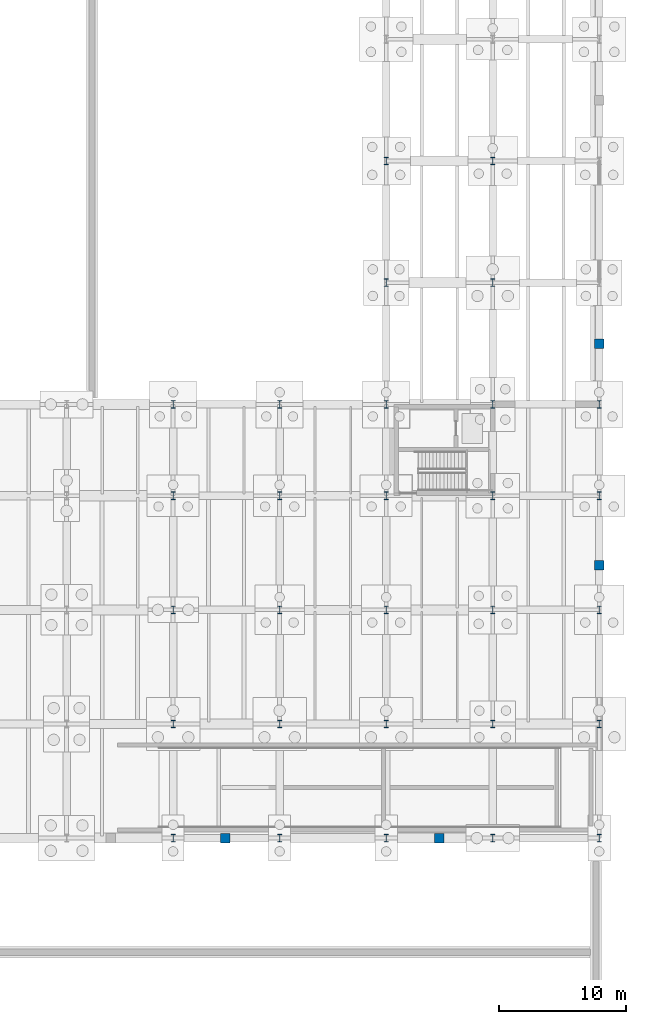
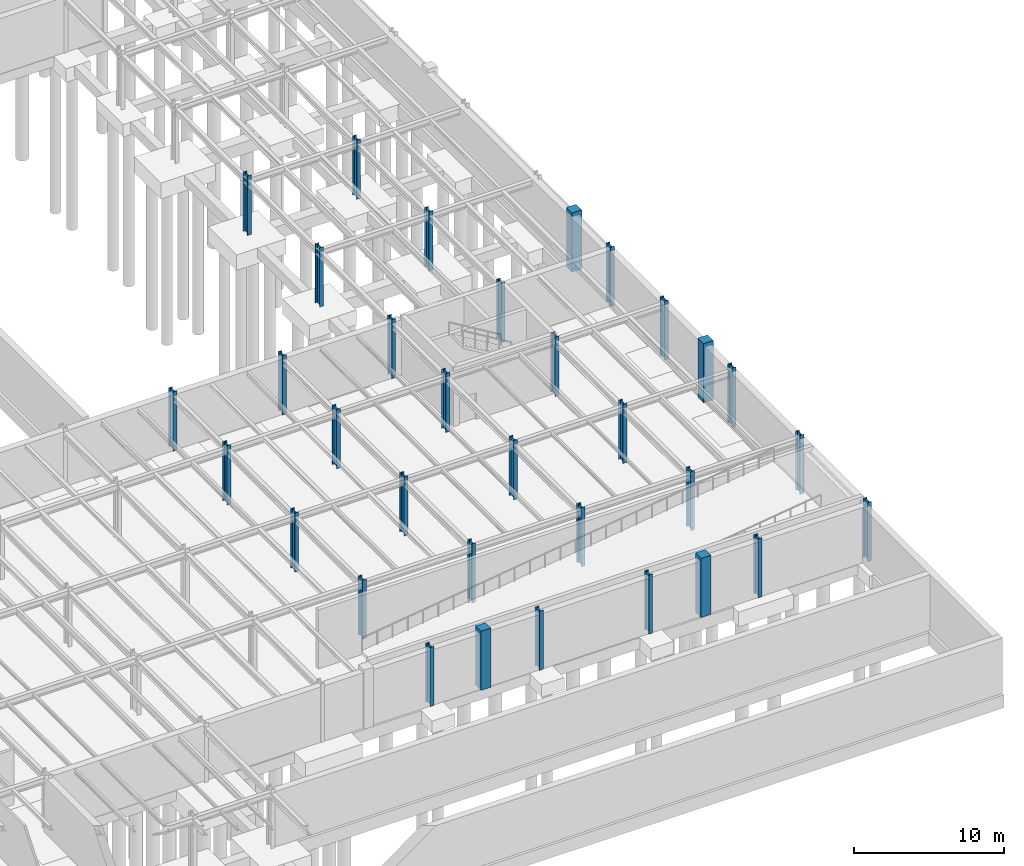
# One storey, part 26 of 59: 33 columns.
"""IFC4 building model written with IfcOpenShell, lengths in metres."""

import ifcopenshell
import ifcopenshell.guid

model = None  # the IFC model being written
_history = None  # IfcOwnerHistory: only IFC2X3 demands one
_inside = {}  # id of a spatial element -> (the spatial element, [elements in it])
_under = {}  # id of a project, library or spatial element -> (it, [spatial elements below it])
_declared = {}  # id of a project -> (the project, [libraries it declares])
_typed = {}  # id of a type object -> (the type object, [elements of that type])
_made_of = {}  # id of a material, layer set ... -> (it, [elements and type objects made of it])


def new_model(schema):
    """Start an empty IFC model of exactly this schema.

    Asked for "IFC4X3", IfcOpenShell would pick the latest addendum, in which some entities
    have other attributes; the version numbers below select the first issue.
    IFC2X3 requires an IfcOwnerHistory on every rooted entity: one is made here for all.
    """
    global model, _history
    if schema == "IFC4X3":
        model = ifcopenshell.file(schema_version=(4, 3, 0, 0))
    else:
        model = ifcopenshell.file(schema=schema)
    _inside.clear()
    _under.clear()
    _declared.clear()
    _typed.clear()
    _made_of.clear()
    _history = None
    if model.schema == "IFC2X3":
        org = make("IfcOrganization", Name="unknown")
        user = make(
            "IfcPersonAndOrganization",
            ThePerson=make("IfcPerson", FamilyName="unknown"),
            TheOrganization=org,
        )
        app = make(
            "IfcApplication",
            ApplicationDeveloper=org,
            Version="unknown",
            ApplicationFullName="unknown",
            ApplicationIdentifier="unknown",
        )
        _history = make(
            "IfcOwnerHistory",
            OwningUser=user,
            OwningApplication=app,
            ChangeAction="ADDED",
            CreationDate=0,
        )
    return model


def make(cls, **values):
    """One entity of the class cls with the attributes given. An attribute that is None is left unset."""
    return model.create_entity(
        cls, **{name: value for name, value in values.items() if value is not None}
    )


def rooted(cls, **values):
    """An entity with a GlobalId (a new one), such as an element, a storey or a relation."""
    return make(cls, GlobalId=ifcopenshell.guid.new(), OwnerHistory=_history, **values)


def si_unit(unit_type, name, prefix=None):
    """IfcSIUnit, for example si_unit("LENGTHUNIT", "METRE", prefix="MILLI")."""
    return make("IfcSIUnit", UnitType=unit_type, Prefix=prefix, Name=name)


def assignment(units):
    """IfcUnitAssignment: the units of a project."""
    return None if units is None else make("IfcUnitAssignment", Units=units)


def point(xyz):
    """IfcCartesianPoint."""
    return None if xyz is None else make("IfcCartesianPoint", Coordinates=xyz)


def direction(xyz):
    """IfcDirection."""
    return None if xyz is None else make("IfcDirection", DirectionRatios=xyz)


def frame(location, z_axis=None, x_axis=None):
    """IfcAxis2Placement3D, a coordinate frame: its origin and axes. An axis left out is left unset."""
    return make(
        "IfcAxis2Placement3D",
        Location=point(location),
        Axis=direction(z_axis),
        RefDirection=direction(x_axis),
    )


def frame_2d(location, x_axis=None):
    """IfcAxis2Placement2D, a coordinate frame in the plane: its origin and x axis."""
    return make(
        "IfcAxis2Placement2D", Location=point(location), RefDirection=direction(x_axis)
    )


def origin():
    """The frame at (0, 0, 0) with its axes left unset."""
    return frame((0.0, 0.0, 0.0))


def origin_2d():
    """The frame at (0, 0) in the plane with its x axis left unset."""
    return frame_2d((0.0, 0.0))


def place(relative_to, where):
    """IfcLocalPlacement: puts the frame where relative to a parent placement (None: the world)."""
    return make(
        "IfcLocalPlacement", PlacementRelTo=relative_to, RelativePlacement=where
    )


def context(
    kind, dimensions, precision=None, world=None, true_north=None, identifier=None
):
    """IfcGeometricRepresentationContext, for example the 3D "Model" context."""
    return make(
        "IfcGeometricRepresentationContext",
        ContextIdentifier=identifier,
        ContextType=kind,
        CoordinateSpaceDimension=dimensions,
        Precision=precision,
        WorldCoordinateSystem=world,
        TrueNorth=true_north,
    )


def subcontext(parent, identifier, kind, view, scale=None):
    """IfcGeometricRepresentationSubContext, for example "Body" below "Model"."""
    return make(
        "IfcGeometricRepresentationSubContext",
        ContextIdentifier=identifier,
        ContextType=kind,
        ParentContext=parent,
        TargetScale=scale,
        TargetView=view,
    )


def project(units=None, contexts=None):
    """IfcProject with its units and contexts."""
    return rooted(
        "IfcProject",
        Name="project",
        RepresentationContexts=contexts,
        UnitsInContext=assignment(units),
    )


def spatial(cls, under=None, at=None, **own):
    """A site, building, storey or space (cls), placed at a placement, below another one or the project."""
    s = rooted(cls, ObjectPlacement=at, **own)
    if under is not None:
        _under.setdefault(under.id(), (under, []))[1].append(s)
    return s


def profile(cls, at=None, kind="AREA", **sizes):
    """A parametric profile (cls). Its sizes go by their IFC names, for example OverallWidth=200.0."""
    return make(cls, ProfileType=kind, Position=at, **sizes)


def rectangle(**sizes):
    """IfcRectangleProfileDef."""
    return profile("IfcRectangleProfileDef", **sizes)


def i_section(**sizes):
    """IfcIShapeProfileDef."""
    return profile("IfcIShapeProfileDef", **sizes)


def extrude(swept, where, along, depth):
    """IfcExtrudedAreaSolid: the profile swept, set in the frame where, extruded along a direction by depth."""
    return make(
        "IfcExtrudedAreaSolid",
        SweptArea=swept,
        Position=where,
        ExtrudedDirection=direction(along),
        Depth=depth,
    )


def shape(context_of_items, identifier, shape_type, items):
    """IfcShapeRepresentation: the items that make up one representation, for example the "Body"."""
    return make(
        "IfcShapeRepresentation",
        ContextOfItems=context_of_items,
        RepresentationIdentifier=identifier,
        RepresentationType=shape_type,
        Items=items,
    )


def material(Name=None, Category=None):
    """IfcMaterial."""
    return make("IfcMaterial", Name=Name, Category=Category)


def material_profile(
    of_material, cross_section, Name=None, Category=None, Priority=None
):
    """IfcMaterialProfile: a cross section and its material."""
    return make(
        "IfcMaterialProfile",
        Name=Name,
        Material=of_material,
        Profile=cross_section,
        Priority=Priority,
        Category=Category,
    )


def profile_set(profiles, Name=None, composite=None):
    """IfcMaterialProfileSet."""
    return make(
        "IfcMaterialProfileSet",
        Name=Name,
        MaterialProfiles=profiles,
        CompositeProfile=composite,
    )


def made_of(thing, what):
    """Note that an element or type object is made of a material, layer set ...; save() writes the relation."""
    if what is not None:
        _made_of.setdefault(what.id(), (what, []))[1].append(thing)
    return thing


def type_object(cls, material=None, **own):
    """A type object (cls), such as IfcWallType, which elements share."""
    return made_of(rooted(cls, **own), material)


def element(
    cls,
    number,
    at=None,
    inside=None,
    cuts=None,
    type_object=None,
    material=None,
    context=None,
    identifier="Body",
    shape_type=None,
    held_by="IfcProductDefinitionShape",
    body=None,
    shapes=None,
    **own,
):
    """One element of the class cls, such as IfcWall. Its Tag is "e" and its number.

    at: its placement. inside: the storey or other place that contains it. cuts: it is an
    opening in that element (IfcRelVoidsElement). A single representation is given by context,
    identifier, shape_type and body (its items); several are given by shapes. held_by: the class
    of the entity that holds the representations. save() writes the other relations.
    """
    e = rooted(cls, Tag="e%d" % number, ObjectPlacement=at, **own)
    if body is not None:
        shapes = [shape(context, identifier, shape_type, body)]
    if shapes is not None:
        e.Representation = make(held_by, Representations=shapes)
    if inside is not None:
        _inside.setdefault(inside.id(), (inside, []))[1].append(e)
    if cuts is not None:
        rooted(
            "IfcRelVoidsElement", RelatingBuildingElement=cuts, RelatedOpeningElement=e
        )
    if type_object is not None:
        _typed.setdefault(type_object.id(), (type_object, []))[1].append(e)
    return made_of(e, material)


def aggregate(whole, parts):
    """IfcRelAggregates: a whole, such as a stair, and the parts it consists of."""
    return rooted("IfcRelAggregates", RelatingObject=whole, RelatedObjects=parts)


def save(model, path):
    """Write the relations noted so far, then the file.

    IfcRelAggregates (storeys below a building ...), IfcRelContainedInSpatialStructure (elements
    in a storey), IfcRelDefinesByType, IfcRelAssociatesMaterial and IfcRelDeclares: one each for
    every whole, place, type object, material and project.
    """
    for whole, parts in _under.values():
        aggregate(whole, parts)
    for where, things in _inside.values():
        rooted(
            "IfcRelContainedInSpatialStructure",
            RelatedElements=things,
            RelatingStructure=where,
        )
    for kind, things in _typed.values():
        rooted("IfcRelDefinesByType", RelatedObjects=things, RelatingType=kind)
    for what, things in _made_of.values():
        rooted("IfcRelAssociatesMaterial", RelatedObjects=things, RelatingMaterial=what)
    for by, libraries in _declared.values():
        rooted("IfcRelDeclares", RelatingContext=by, RelatedDefinitions=libraries)
    model.write(path)


model = new_model("IFC4")

# Units and contexts
model_context = context("Model", 3, precision=1e-05, world=origin(), true_north=direction((0.0, 1.0)))
body_context = subcontext(model_context, "Body", "Model", "MODEL_VIEW")
ifc_project = project(units=[si_unit("LENGTHUNIT", "METRE"), si_unit("AREAUNIT", "SQUARE_METRE"), si_unit("VOLUMEUNIT", "CUBIC_METRE"), si_unit("PLANEANGLEUNIT", "RADIAN"), si_unit("MASSUNIT", "GRAM", prefix="KILO")], contexts=[model_context])

# Site, building, storey
site_placement = place(None, origin())
site = spatial("IfcSite", under=ifc_project, at=site_placement, CompositionType="ELEMENT")
building_placement = place(site_placement, origin())
building = spatial("IfcBuilding", under=site, at=building_placement, Name="Montealbar Specialist Clinic", CompositionType="ELEMENT")
storey_placement = place(building_placement, frame((0.0, 0.0, -4.800048828125)))
storey = spatial("IfcBuildingStorey", under=building, at=storey_placement, Name="B01", CompositionType="ELEMENT", Elevation=-4.800048828125)

# Columns
ifc_material_1 = material(Name="Steel S355", Category="steel")
ifc_material_profile_1 = material_profile(ifc_material_1, i_section(OverallWidth=0.300048828125, OverallDepth=0.60009765625, WebThickness=0.015380859375, FlangeThickness=0.030029296875, FilletRadius=0.027099609375, at=origin_2d()), Name="HEB 600", Category="steel")
ifc_profile_set_1 = profile_set([ifc_material_profile_1], Name="Steel S355")
column_type_1 = type_object("IfcColumnType", Name="COL-S-B01-STD", PredefinedType="COLUMN", material=ifc_profile_set_1)
for number, where, z_axis, x_axis, name in (
    (1, (128.39990234375, 27.0, 0.0), (0.0, 0.0, 1.0), (1.0, 0.0, 0.0), "Column 17/D B01"),
    (2, (128.39990234375, 36.0, 0.0), (0.0, 0.0, 1.0), (1.0, 0.0, 0.0), "Column 17/E B01"),
    (3, (128.39990234375, 45.0, 0.0), (0.0, 0.0, 1.0), (1.0, 0.0, 0.0), "Column 17/F B01"),
    (4, (136.800048828125, 27.0, 0.0), (0.0, 0.0, 1.0), (1.0, 0.0, 0.0), "Column 18/D B01"),
    (5, (136.800048828125, 36.0, 0.0), (0.0, 0.0, 1.0), (1.0, 0.0, 0.0), "Column 18/E B01"),
    (6, (136.800048828125, 45.0, 0.0), (0.0, 0.0, 1.0), (1.0, 0.0, 0.0), "Column 18/F B01"),
    (7, (145.199951171875, 27.0, 0.0), (0.0, 0.0, 1.0), (1.0, 0.0, 0.0), "Column 19/D B01"),
    (8, (145.199951171875, 36.0, 0.0), (0.0, 0.0, 1.0), (1.0, 0.0, 0.0), "Column 19/E B01"),
    (9, (145.199951171875, 45.0, 0.0), (0.0, 0.0, 1.0), (1.0, 0.0, 0.0), "Column 19/F B01"),
    (10, (153.60009765625, 27.0, 0.0), (0.0, 0.0, 1.0), (1.0, 0.0, 0.0), "Column 20/D B01"),
    (11, (153.60009765625, 36.0, 0.0), (0.0, 0.0, 1.0), (1.0, 0.0, 0.0), "Column 20/E B01"),
    (12, (153.60009765625, 45.0, 0.0), (0.0, 0.0, 1.0), (1.0, 0.0, 0.0), "Column 20/F B01"),
):
    element("IfcColumn", number, at=place(storey_placement, frame(where, z_axis=z_axis, x_axis=x_axis)), inside=storey, type_object=column_type_1, Name=name, PredefinedType="COLUMN", context=body_context, shape_type="SweptSolid", body=[
        extrude(i_section(OverallWidth=0.300048828125, OverallDepth=0.60009765625, WebThickness=0.015380859375, FlangeThickness=0.030029296875, FilletRadius=0.027099609375, at=origin_2d()), origin(), (0.0, 0.0, 1.0), 4.800048828125),
    ])
ifc_material_profile_2 = material_profile(ifc_material_1, i_section(OverallWidth=0.300048828125, OverallDepth=0.60009765625, WebThickness=0.015380859375, FlangeThickness=0.030029296875, FilletRadius=0.027099609375, at=origin_2d()), Name="HEB 600", Category="steel")
ifc_profile_set_2 = profile_set([ifc_material_profile_2], Name="Steel S355")
column_type_2 = type_object("IfcColumnType", Name="COL-S-B01-STD-EXT", PredefinedType="COLUMN", material=ifc_profile_set_2)
for number, where, z_axis, x_axis, name in (
    (13, (128.39990234375, 18.0, 0.0), (0.0, 0.0, 1.0), (1.0, 0.0, 0.0), "Column 17/C B01"),
    (14, (128.39990234375, 52.199951171875, 0.0), (0.0, 0.0, 1.0), (1.0, 0.0, 0.0), "Column 17/G B01"),
    (15, (136.800048828125, 18.0, 0.0), (0.0, 0.0, 1.0), (1.0, 0.0, 0.0), "Column 18/C B01"),
    (16, (136.800048828125, 52.199951171875, 0.0), (0.0, 0.0, 1.0), (1.0, 0.0, 0.0), "Column 18/G B01"),
    (17, (145.199951171875, 18.0, 0.0), (0.0, 0.0, 1.0), (1.0, 0.0, 0.0), "Column 19/C B01"),
    (18, (145.199951171875, 52.199951171875, 0.0), (0.0, 0.0, 1.0), (1.0, 0.0, 0.0), "Column 19/G B01"),
    (19, (145.199951171875, 61.800048828125, 0.0), (0.0, 0.0, 1.0), (1.0, 0.0, 0.0), "Column 19/H B01"),
    (20, (145.199951171875, 71.39990234375, 0.0), (0.0, 0.0, 1.0), (1.0, 0.0, 0.0), "Column 19/J B01"),
    (21, (153.60009765625, 18.0, 0.0), (0.0, 0.0, 1.0), (1.0, 0.0, 0.0), "Column 20/C B01"),
    (22, (153.60009765625, 52.199951171875, 0.0), (0.0, 0.0, 1.0), (1.0, 0.0, 0.0), "Column 20/G B01"),
    (23, (153.60009765625, 61.800048828125, 0.0), (0.0, 0.0, 1.0), (1.0, 0.0, 0.0), "Column 20/H B01"),
    (24, (153.60009765625, 71.39990234375, 0.0), (0.0, 0.0, 1.0), (1.0, 0.0, 0.0), "Column 20/J B01"),
    (25, (162.0, 18.0, 0.0), (0.0, 0.0, 1.0), (1.0, 0.0, 0.0), "Column 21/C B01"),
    (26, (162.0, 27.0, 0.0), (0.0, 0.0, 1.0), (1.0, 0.0, 0.0), "Column 21/D B01"),
    (27, (162.0, 36.0, 0.0), (0.0, 0.0, 1.0), (1.0, 0.0, 0.0), "Column 21/E B01"),
    (28, (162.0, 45.0, 0.0), (0.0, 0.0, 1.0), (1.0, 0.0, 0.0), "Column 21/F B01"),
    (29, (162.0, 52.199951171875, 0.0), (0.0, 0.0, 1.0), (1.0, 0.0, 0.0), "Column 21/G B01"),
):
    element("IfcColumn", number, at=place(storey_placement, frame(where, z_axis=z_axis, x_axis=x_axis)), inside=storey, type_object=column_type_2, Name=name, PredefinedType="COLUMN", context=body_context, shape_type="SweptSolid", body=[
        extrude(i_section(OverallWidth=0.300048828125, OverallDepth=0.60009765625, WebThickness=0.015380859375, FlangeThickness=0.030029296875, FilletRadius=0.027099609375, at=origin_2d()), origin(), (0.0, 0.0, 1.0), 4.800048828125),
    ])
ifc_material_2 = material(Name="Guadarrama granite ashlar", Category="masonry")
ifc_material_profile_3 = material_profile(ifc_material_2, rectangle(XDim=0.75, YDim=0.75, at=origin_2d()), Name="GRANITE PILASTER 750x750", Category="masonry")
ifc_profile_set_3 = profile_set([ifc_material_profile_3], Name="Guadarrama granite ashlar")
column_type_3 = type_object("IfcColumnType", Name="PIL-PM-GIANT-INT", PredefinedType="PILASTER", material=ifc_profile_set_3)
for number, where, z_axis, x_axis, name in (
    (30, (132.5, 18.0, 0.0), (0.0, 0.0, 1.0), (1.0, 0.0, 0.0), "Column SP2/C B01"),
    (31, (149.39990234375, 18.0, 0.0), (0.0, 0.0, 1.0), (1.0, 0.0, 0.0), "Column SP3/C B01"),
    (32, (162.0, 39.5, 0.0), (0.0, 0.0, 1.0), (1.0, 0.0, 0.0), "Column EP1/DE B01"),
    (33, (162.0, 57.0, 0.0), (0.0, 0.0, 1.0), (1.0, 0.0, 0.0), "Column EP2/GH B01"),
):
    element("IfcColumn", number, at=place(storey_placement, frame(where, z_axis=z_axis, x_axis=x_axis)), inside=storey, type_object=column_type_3, Name=name, PredefinedType="PILASTER", context=body_context, shape_type="SweptSolid", body=[
        extrude(rectangle(XDim=0.75, YDim=0.75, at=origin_2d()), origin(), (0.0, 0.0, 1.0), 4.800048828125),
    ])

save(model, "model.ifc")
